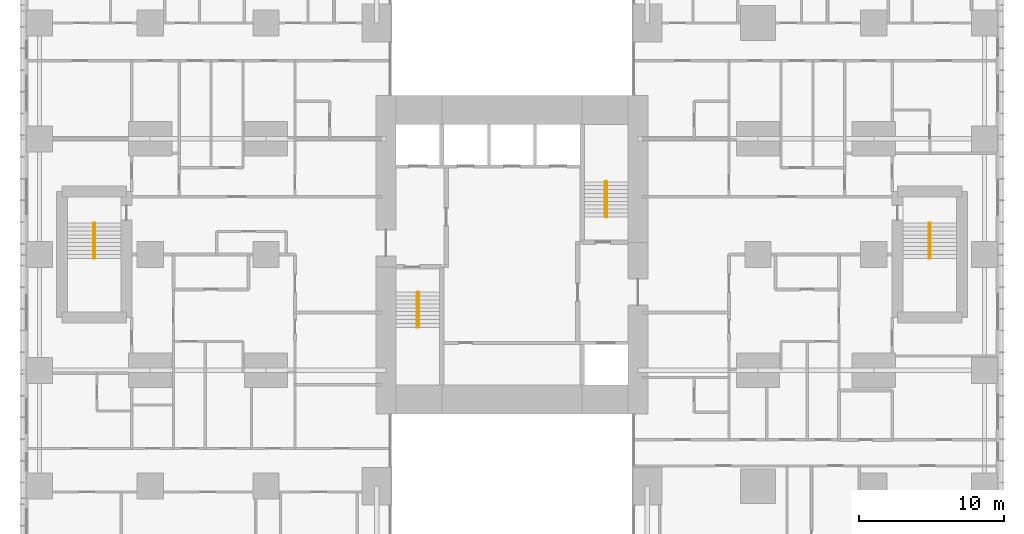
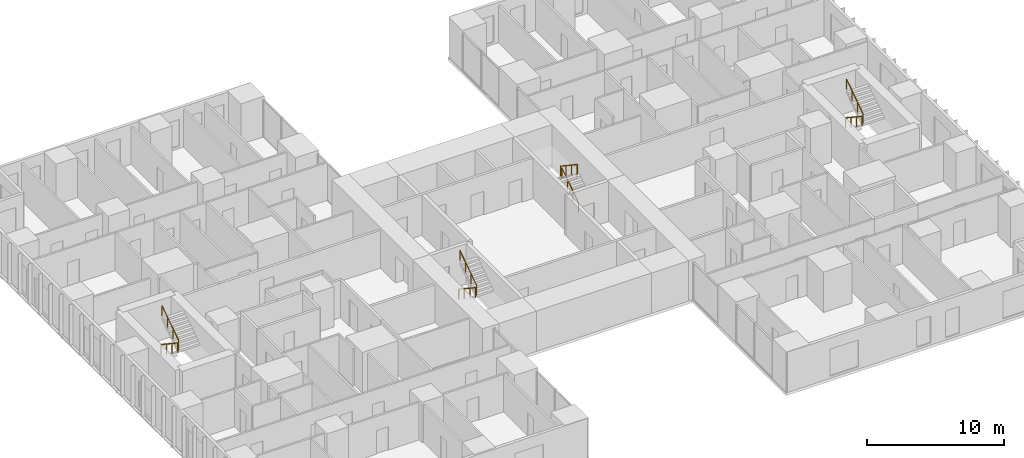
# One storey, part 20 of 20: 8 railings.
"""IFC4 building model written with IfcOpenShell, lengths in metres."""

from ifc_helpers import new_model, si_unit, direction, frame, origin, origin_2d, place, context, subcontext, project, spatial, circle, extrude, material, type_object, element, save


model = new_model("IFC4")

# Units and contexts
model_context = context("Model", 3, precision=1e-05, world=origin(), true_north=direction((0.0, 1.0)))
body_context = subcontext(model_context, "Body", "Model", "MODEL_VIEW")
ifc_project = project(units=[si_unit("LENGTHUNIT", "METRE"), si_unit("AREAUNIT", "SQUARE_METRE"), si_unit("VOLUMEUNIT", "CUBIC_METRE"), si_unit("PLANEANGLEUNIT", "RADIAN"), si_unit("MASSUNIT", "GRAM", prefix="KILO")], contexts=[model_context])

# Site, building, storey
site_placement = place(None, origin())
site = spatial("IfcSite", under=ifc_project, at=site_placement, CompositionType="ELEMENT")
building_placement = place(site_placement, origin())
building = spatial("IfcBuilding", under=site, at=building_placement, Name="Cleftline Residences", CompositionType="ELEMENT")
storey_placement = place(building_placement, frame((0.0, 0.0, 189.39990234375)))
storey = spatial("IfcBuildingStorey", under=building, at=storey_placement, Name="L49", CompositionType="ELEMENT", Elevation=189.39990234375)

# Railings
ifc_material = material(Name="Stainless steel", Category="steel")
railing_type = type_object("IfcRailingType", Name="HANDRAIL 900", PredefinedType="HANDRAIL", material=ifc_material)
railing_1_placement = place(storey_placement, frame((26.449951171875, 21.39990234375, 0.18017578125)))
element("IfcRailing", 1, at=railing_1_placement, inside=storey, type_object=railing_type, Name="Stair handrail", PredefinedType="HANDRAIL", context=body_context, shape_type="SweptSolid", body=[
    extrude(circle(Radius=0.02392578125, at=origin_2d()), frame((0.0, 0.0, 0.8759765625), z_axis=(0.0, -0.832063155534, 0.554680903946), x_axis=(1.0, 0.0, 0.0)), (0.0, 0.0, 1.0), 2.92041015625),
    extrude(circle(Radius=0.02099609375, at=origin_2d()), origin(), (0.0, 0.0, 1.0), 0.851806640625),
    extrude(circle(Radius=0.02099609375, at=origin_2d()), frame((0.0, -0.81005859375, 0.5400390625)), (0.0, 0.0, 1.0), 0.851806640625),
    extrude(circle(Radius=0.02099609375, at=origin_2d()), frame((0.0, -1.619873046875, 1.079833984375)), (0.0, 0.0, 1.0), 0.851806640625),
    extrude(circle(Radius=0.02099609375, at=origin_2d()), frame((0.0, -2.429931640625, 1.619873046875)), (0.0, 0.0, 1.0), 0.851806640625),
])
railing_2_placement = place(storey_placement, frame((26.550048828125, 18.969970703125, 1.97998046875)))
element("IfcRailing", 2, at=railing_2_placement, inside=storey, type_object=railing_type, Name="Stair handrail", PredefinedType="HANDRAIL", context=body_context, shape_type="SweptSolid", body=[
    extrude(circle(Radius=0.02392578125, at=origin_2d()), frame((0.0, 0.0, 0.8759765625), z_axis=(0.0, 0.832024571796, 0.554738778101), x_axis=(-1.0, 0.0, 0.0)), (0.0, 0.0, 1.0), 2.92041015625),
    extrude(circle(Radius=0.02099609375, at=origin_2d()), origin(), (0.0, 0.0, 1.0), 0.851806640625),
    extrude(circle(Radius=0.02099609375, at=origin_2d()), frame((0.0, 0.81005859375, 0.5400390625)), (0.0, 0.0, 1.0), 0.851806640625),
    extrude(circle(Radius=0.02099609375, at=origin_2d()), frame((0.0, 1.619873046875, 1.080078125)), (0.0, 0.0, 1.0), 0.851806640625),
    extrude(circle(Radius=0.02099609375, at=origin_2d()), frame((0.0, 2.429931640625, 1.6201171875)), (0.0, 0.0, 1.0), 0.851806640625),
])
railing_3_placement = place(storey_placement, frame((39.550048828125, 26.60009765625, 0.18017578125)))
element("IfcRailing", 3, at=railing_3_placement, inside=storey, type_object=railing_type, Name="Stair handrail", PredefinedType="HANDRAIL", context=body_context, shape_type="SweptSolid", body=[
    extrude(circle(Radius=0.02392578125, at=origin_2d()), frame((0.0, 0.0, 0.8759765625), z_axis=(0.0, 0.832063155534, 0.554680903946), x_axis=(-1.0, 0.0, 0.0)), (0.0, 0.0, 1.0), 2.92041015625),
    extrude(circle(Radius=0.02099609375, at=origin_2d()), origin(), (0.0, 0.0, 1.0), 0.851806640625),
    extrude(circle(Radius=0.02099609375, at=origin_2d()), frame((0.0, 0.81005859375, 0.5400390625)), (0.0, 0.0, 1.0), 0.851806640625),
    extrude(circle(Radius=0.02099609375, at=origin_2d()), frame((0.0, 1.619873046875, 1.079833984375)), (0.0, 0.0, 1.0), 0.851806640625),
    extrude(circle(Radius=0.02099609375, at=origin_2d()), frame((0.0, 2.429931640625, 1.619873046875)), (0.0, 0.0, 1.0), 0.851806640625),
])
railing_4_placement = place(storey_placement, frame((39.449951171875, 29.030029296875, 1.97998046875)))
element("IfcRailing", 4, at=railing_4_placement, inside=storey, type_object=railing_type, Name="Stair handrail", PredefinedType="HANDRAIL", context=body_context, shape_type="SweptSolid", body=[
    extrude(circle(Radius=0.02392578125, at=origin_2d()), frame((0.0, 0.0, 0.8759765625), z_axis=(0.0, -0.832024571796, 0.554738778101), x_axis=(1.0, 0.0, 0.0)), (0.0, 0.0, 1.0), 2.92041015625),
    extrude(circle(Radius=0.02099609375, at=origin_2d()), origin(), (0.0, 0.0, 1.0), 0.851806640625),
    extrude(circle(Radius=0.02099609375, at=origin_2d()), frame((0.0, -0.81005859375, 0.5400390625)), (0.0, 0.0, 1.0), 0.851806640625),
    extrude(circle(Radius=0.02099609375, at=origin_2d()), frame((0.0, -1.619873046875, 1.080078125)), (0.0, 0.0, 1.0), 0.851806640625),
    extrude(circle(Radius=0.02099609375, at=origin_2d()), frame((0.0, -2.429931640625, 1.6201171875)), (0.0, 0.0, 1.0), 0.851806640625),
])
railing_5_placement = place(storey_placement, frame((61.824951171875, 26.175048828125, 0.18017578125)))
element("IfcRailing", 5, at=railing_5_placement, inside=storey, type_object=railing_type, Name="Stair handrail", PredefinedType="HANDRAIL", context=body_context, shape_type="SweptSolid", body=[
    extrude(circle(Radius=0.02392578125, at=origin_2d()), frame((0.0, 0.0, 0.8759765625), z_axis=(0.0, -0.832063155534, 0.554680903946), x_axis=(1.0, 0.0, 0.0)), (0.0, 0.0, 1.0), 2.92041015625),
    extrude(circle(Radius=0.02099609375, at=origin_2d()), origin(), (0.0, 0.0, 1.0), 0.851806640625),
    extrude(circle(Radius=0.02099609375, at=origin_2d()), frame((0.0, -0.81005859375, 0.5400390625)), (0.0, 0.0, 1.0), 0.851806640625),
    extrude(circle(Radius=0.02099609375, at=origin_2d()), frame((0.0, -1.619873046875, 1.079833984375)), (0.0, 0.0, 1.0), 0.851806640625),
    extrude(circle(Radius=0.02099609375, at=origin_2d()), frame((0.0, -2.429931640625, 1.619873046875)), (0.0, 0.0, 1.0), 0.851806640625),
])
railing_6_placement = place(storey_placement, frame((61.925048828125, 23.7451171875, 1.97998046875)))
element("IfcRailing", 6, at=railing_6_placement, inside=storey, type_object=railing_type, Name="Stair handrail", PredefinedType="HANDRAIL", context=body_context, shape_type="SweptSolid", body=[
    extrude(circle(Radius=0.02392578125, at=origin_2d()), frame((0.0, 0.0, 0.8759765625), z_axis=(0.0, 0.832024571796, 0.554738778101), x_axis=(-1.0, 0.0, 0.0)), (0.0, 0.0, 1.0), 2.92041015625),
    extrude(circle(Radius=0.02099609375, at=origin_2d()), origin(), (0.0, 0.0, 1.0), 0.851806640625),
    extrude(circle(Radius=0.02099609375, at=origin_2d()), frame((0.0, 0.81005859375, 0.5400390625)), (0.0, 0.0, 1.0), 0.851806640625),
    extrude(circle(Radius=0.02099609375, at=origin_2d()), frame((0.0, 1.619873046875, 1.080078125)), (0.0, 0.0, 1.0), 0.851806640625),
    extrude(circle(Radius=0.02099609375, at=origin_2d()), frame((0.0, 2.429931640625, 1.6201171875)), (0.0, 0.0, 1.0), 0.851806640625),
])
railing_7_placement = place(storey_placement, frame((4.074951171875, 26.175048828125, 0.18017578125)))
element("IfcRailing", 7, at=railing_7_placement, inside=storey, type_object=railing_type, Name="Stair handrail", PredefinedType="HANDRAIL", context=body_context, shape_type="SweptSolid", body=[
    extrude(circle(Radius=0.02392578125, at=origin_2d()), frame((0.0, 0.0, 0.8759765625), z_axis=(0.0, -0.832063155534, 0.554680903946), x_axis=(1.0, 0.0, 0.0)), (0.0, 0.0, 1.0), 2.92041015625),
    extrude(circle(Radius=0.02099609375, at=origin_2d()), origin(), (0.0, 0.0, 1.0), 0.851806640625),
    extrude(circle(Radius=0.02099609375, at=origin_2d()), frame((0.0, -0.81005859375, 0.5400390625)), (0.0, 0.0, 1.0), 0.851806640625),
    extrude(circle(Radius=0.02099609375, at=origin_2d()), frame((0.0, -1.619873046875, 1.079833984375)), (0.0, 0.0, 1.0), 0.851806640625),
    extrude(circle(Radius=0.02099609375, at=origin_2d()), frame((0.0, -2.429931640625, 1.619873046875)), (0.0, 0.0, 1.0), 0.851806640625),
])
railing_8_placement = place(storey_placement, frame((4.175048828125, 23.7451171875, 1.97998046875)))
element("IfcRailing", 8, at=railing_8_placement, inside=storey, type_object=railing_type, Name="Stair handrail", PredefinedType="HANDRAIL", context=body_context, shape_type="SweptSolid", body=[
    extrude(circle(Radius=0.02392578125, at=origin_2d()), frame((0.0, 0.0, 0.8759765625), z_axis=(0.0, 0.832024571796, 0.554738778101), x_axis=(-1.0, 0.0, 0.0)), (0.0, 0.0, 1.0), 2.92041015625),
    extrude(circle(Radius=0.02099609375, at=origin_2d()), origin(), (0.0, 0.0, 1.0), 0.851806640625),
    extrude(circle(Radius=0.02099609375, at=origin_2d()), frame((0.0, 0.81005859375, 0.5400390625)), (0.0, 0.0, 1.0), 0.851806640625),
    extrude(circle(Radius=0.02099609375, at=origin_2d()), frame((0.0, 1.619873046875, 1.080078125)), (0.0, 0.0, 1.0), 0.851806640625),
    extrude(circle(Radius=0.02099609375, at=origin_2d()), frame((0.0, 2.429931640625, 1.6201171875)), (0.0, 0.0, 1.0), 0.851806640625),
])

save(model, "model.ifc")
